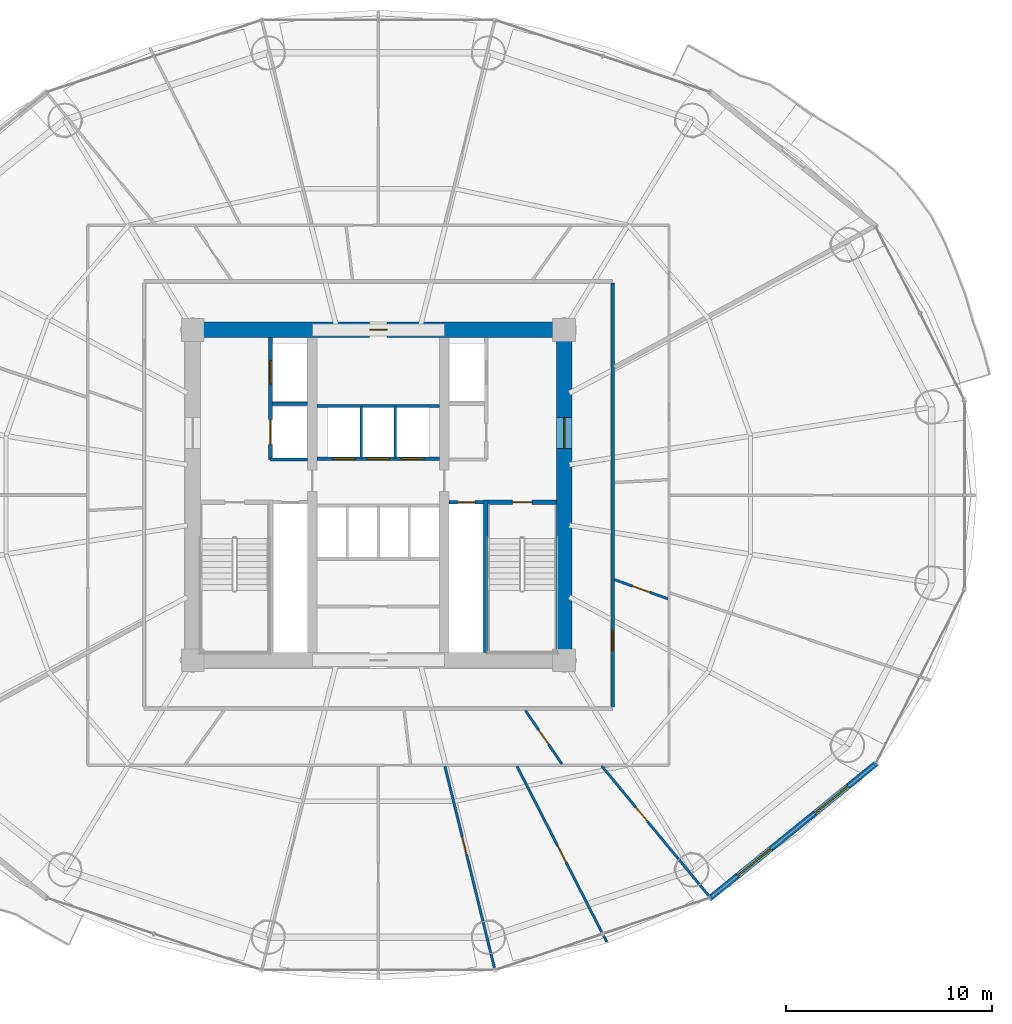
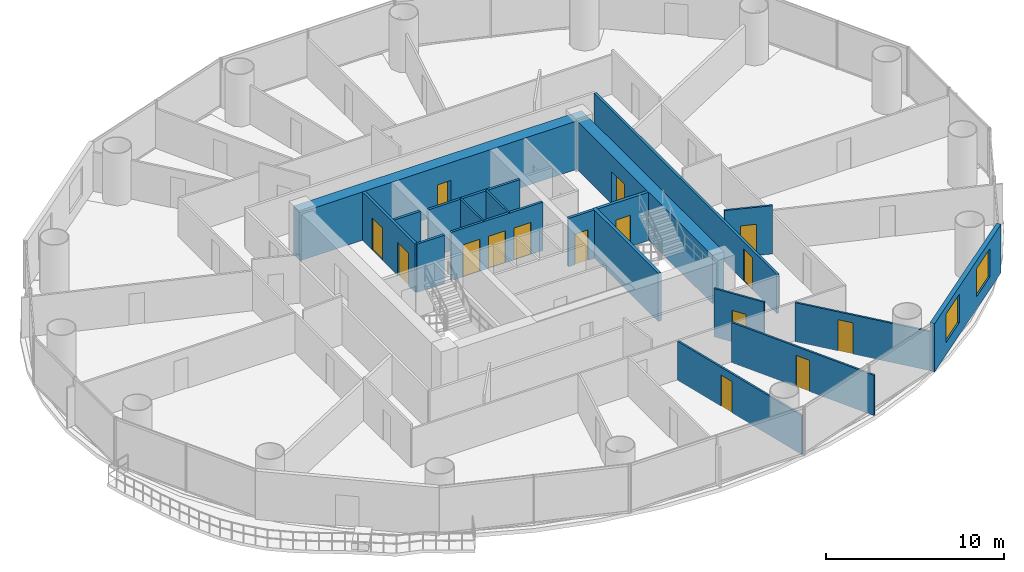
# One storey, part 24 of 30: 19 walls, 15 doors, 2 windows, 17 openings.
"""IFC4 building model written with IfcOpenShell, lengths in metres."""

from ifc_helpers import new_model, si_unit, direction, frame, frame_2d, origin, place, context, subcontext, project, spatial, rectangle, extrude, source, transform, mapped, material, layer, layer_set, type_object, element, fill, save


model = new_model("IFC4")

# Units and contexts
model_context = context("Model", 3, precision=1e-05, world=origin(), true_north=direction((-0.2419218956, 0.970295726276)))
body_context = subcontext(model_context, "Body", "Model", "MODEL_VIEW")
ifc_project = project(units=[si_unit("LENGTHUNIT", "METRE"), si_unit("AREAUNIT", "SQUARE_METRE"), si_unit("VOLUMEUNIT", "CUBIC_METRE"), si_unit("PLANEANGLEUNIT", "RADIAN"), si_unit("MASSUNIT", "GRAM", prefix="KILO")], contexts=[model_context])

# Site, building, storey
site_placement = place(None, origin())
site = spatial("IfcSite", under=ifc_project, at=site_placement, CompositionType="ELEMENT")
building_placement = place(site_placement, origin())
building = spatial("IfcBuilding", under=site, at=building_placement, Name="Cobrevalo Terracotta Tower", CompositionType="ELEMENT")
storey_placement = place(building_placement, frame((0.0, 0.0, 56.39990234375)))
storey = spatial("IfcBuildingStorey", under=building, at=storey_placement, Name="L14", CompositionType="ELEMENT", Elevation=56.39990234375)

# Wall, opening, door
ifc_material_1 = material(Name="Concrete C60", Category="concrete")
ifc_layer_1 = layer(ifc_material_1, 0.75)
ifc_layer_set_1 = layer_set([ifc_layer_1], Name="Concrete C60")
wall_type_1 = type_object("IfcWallType", Name="Core shear wall 750 mm Concrete C60", PredefinedType="SHEAR", material=ifc_layer_set_1)
wall_1_placement = place(storey_placement, frame((28.625, 34.800048828125, 0.0), z_axis=(0.0, 0.0, 1.0), x_axis=(1.0, 0.0, 0.0)))
wall_1 = element("IfcWall", 1, at=wall_1_placement, inside=storey, type_object=wall_type_1, Name="L14 north core shear wall", PredefinedType="SHEAR", context=body_context, shape_type="SweptSolid", body=[
    extrude(rectangle(XDim=18.75, YDim=0.75, at=frame_2d((9.375, 0.0))), origin(), (0.0, 0.0, 1.0), 3.320068359375),
])
opening_1_placement = place(wall_1_placement, frame((8.949951171875, 0.0, 0.0)))
opening_1 = element("IfcOpeningElement", 2, at=opening_1_placement, cuts=wall_1, Name="Opening ID-22", PredefinedType="OPENING", context=body_context, shape_type="SweptSolid", body=[
    extrude(rectangle(XDim=0.85009765625, YDim=2.10009765625, at=frame_2d((0.425048828125, 1.050048828125))), frame((0.0, 0.385009765625, 0.0), z_axis=(0.0, -1.0, 0.0), x_axis=(1.0, 0.0, 0.0)), (0.0, 0.0, 1.0), 0.77001953125),
])
ifc_material_2 = material(Name="Powder-coated steel", Category="steel")
door_type_1 = type_object("IfcDoorType", Name="Riser shaft & meter closet fire access door 850x2100 EI 60", OperationType="NOTDEFINED", PredefinedType="DOOR", material=ifc_material_2)
shared_shape_1 = source(origin(), body_context, "Body", "SweptSolid", [
    extrude(rectangle(XDim=0.85009765625, YDim=2.10009765625, at=frame_2d((0.425048828125, 1.050048828125))), frame((0.0, 0.02490234375, 0.0), z_axis=(0.0, -1.0, 0.0), x_axis=(1.0, 0.0, 0.0)), (0.0, 0.0, 1.0), 0.050048828125),
])
door_1_placement = place(opening_1_placement, frame((0.85009765625, 0.0, 0.0), z_axis=(0.0, 0.0, 1.0), x_axis=(-1.0, 0.0, 0.0)))
door_1 = element("IfcDoor", 3, at=door_1_placement, inside=storey, type_object=door_type_1, Name="L14 core north service door Floor Electrical Switchroom", OperationType="SINGLE_SWING_LEFT", OverallHeight=2.10009765625, OverallWidth=0.85009765625, PredefinedType="DOOR", context=body_context, shape_type="MappedRepresentation", body=[
    mapped(shared_shape_1, transform((0.0, 0.0, 0.0), scale=1.0)),
])
fill(opening_1, door_1)

wall_2_placement = place(storey_placement, frame((47.0, 19.175048828125, 0.0), z_axis=(0.0, 0.0, 1.0), x_axis=(0.0, 1.0, 0.0)))
wall_2 = element("IfcWall", 4, at=wall_2_placement, inside=storey, type_object=wall_type_1, Name="L14 east core shear wall", PredefinedType="SHEAR", context=body_context, shape_type="SweptSolid", body=[
    extrude(rectangle(XDim=15.25, YDim=0.75, at=frame_2d((7.625, 0.0))), origin(), (0.0, 0.0, 1.0), 3.320068359375),
])
opening_2_placement = place(wall_2_placement, frame((9.875, 0.0, 0.0)))
opening_2 = element("IfcOpeningElement", 5, at=opening_2_placement, cuts=wall_2, Name="Opening ID-14", PredefinedType="OPENING", context=body_context, shape_type="SweptSolid", body=[
    extrude(rectangle(XDim=1.5, YDim=2.199951171875, at=frame_2d((0.75, 1.10009765625))), frame((0.0, 0.385009765625, 0.0), z_axis=(0.0, -1.0, 0.0), x_axis=(1.0, 0.0, 0.0)), (0.0, 0.0, 1.0), 0.77001953125),
])
ifc_material_3 = material(Name="Galvanized fire-rated steel", Category="steel")
door_type_2 = type_object("IfcDoorType", Name="Core cross-lobby double fire door 1500x2200 EI 90", OperationType="NOTDEFINED", PredefinedType="DOOR", material=ifc_material_3)
shared_shape_2 = source(origin(), body_context, "Body", "SweptSolid", [
    extrude(rectangle(XDim=1.5, YDim=2.199951171875, at=frame_2d((0.75, 1.10009765625))), frame((0.0, 0.02490234375, 0.0), z_axis=(0.0, -1.0, 0.0), x_axis=(1.0, 0.0, 0.0)), (0.0, 0.0, 1.0), 0.050048828125),
])
door_2_placement = place(opening_2_placement, frame((1.5, 0.0, 0.0), z_axis=(0.0, 0.0, 1.0), x_axis=(-1.0, 0.0, 0.0)))
door_2 = element("IfcDoor", 6, at=door_2_placement, inside=storey, type_object=door_type_2, Name="L14 east firefighting lobby entrance door", OperationType="DOUBLE_DOOR_SINGLE_SWING", OverallHeight=2.199951171875, OverallWidth=1.5, PredefinedType="DOOR", context=body_context, shape_type="MappedRepresentation", body=[
    mapped(shared_shape_2, transform((0.0, 0.0, 0.0), scale=1.0)),
])
fill(opening_2, door_2)

# Walls
ifc_material_4 = material(Name="Gypsum board on steel stud", Category="steel")
ifc_layer_2 = layer(ifc_material_4, 0.159912109375)
ifc_layer_set_2 = layer_set([ifc_layer_2], Name="Gypsum board on steel stud")
wall_type_2 = type_object("IfcWallType", Name="Fire-rated corridor acoustic partition wall 160 mm", PredefinedType="PARTITIONING", material=ifc_layer_set_2)
wall_3_placement = place(storey_placement, frame((32.860107421875, 31.219970703125, 0.0), z_axis=(0.0, 0.0, 1.0), x_axis=(1.0, 0.0, 0.0)))
element("IfcWall", 7, at=wall_3_placement, inside=storey, type_object=wall_type_2, Name="L14 interior partition IW-L14-FF1-M", PredefinedType="PARTITIONING", context=body_context, shape_type="SweptSolid", body=[
    extrude(rectangle(XDim=1.71484375, YDim=0.159912109375, at=frame_2d((0.857421875, 0.0))), origin(), (0.0, 0.0, 1.0), 3.320068359375),
])
wall_4_placement = place(storey_placement, frame((32.77001953125, 28.52001953125, 0.0), z_axis=(0.0, 0.0, 1.0), x_axis=(1.0, 0.0, 0.0)))
element("IfcWall", 8, at=wall_4_placement, inside=storey, type_object=wall_type_2, Name="L14 interior partition IW-L14-FF1-S", PredefinedType="PARTITIONING", context=body_context, shape_type="SweptSolid", body=[
    extrude(rectangle(XDim=1.804931640625, YDim=0.159912109375, at=frame_2d((0.90234375, 0.0))), origin(), (0.0, 0.0, 1.0), 3.320068359375),
])

# Wall, openings, doors
wall_5_placement = place(storey_placement, frame((35.02490234375, 28.56005859375, 0.0), z_axis=(0.0, 0.0, 1.0), x_axis=(1.0, 0.0, 0.0)))
wall_5 = element("IfcWall", 9, at=wall_5_placement, inside=storey, type_object=wall_type_2, Name="L14 interior partition IW-L14-LB-S", PredefinedType="PARTITIONING", context=body_context, shape_type="SweptSolid", body=[
    extrude(rectangle(XDim=5.9501953125, YDim=0.159912109375, at=frame_2d((2.97509765625, 0.0))), origin(), (0.0, 0.0, 1.0), 3.320068359375),
])
opening_3_placement = place(wall_5_placement, frame((0.760009765625, 0.0, 0.0)))
opening_3 = element("IfcOpeningElement", 10, at=opening_3_placement, cuts=wall_5, Name="Opening LD-01", PredefinedType="OPENING", context=body_context, shape_type="SweptSolid", body=[
    extrude(rectangle(XDim=1.10009765625, YDim=2.199951171875, at=frame_2d((0.550048828125, 1.10009765625))), frame((0.0, 0.08984375, 0.0), z_axis=(0.0, -1.0, 0.0), x_axis=(1.0, 0.0, 0.0)), (0.0, 0.0, 1.0), 0.179931640625),
])
opening_4_placement = place(wall_5_placement, frame((2.425048828125, 0.0, 0.0)))
opening_4 = element("IfcOpeningElement", 11, at=opening_4_placement, cuts=wall_5, Name="Opening LD-01", PredefinedType="OPENING", context=body_context, shape_type="SweptSolid", body=[
    extrude(rectangle(XDim=1.10009765625, YDim=2.199951171875, at=frame_2d((0.550048828125, 1.10009765625))), frame((0.0, 0.08984375, 0.0), z_axis=(0.0, -1.0, 0.0), x_axis=(1.0, 0.0, 0.0)), (0.0, 0.0, 1.0), 0.179931640625),
])
opening_5_placement = place(wall_5_placement, frame((4.090087890625, 0.0, 0.0)))
opening_5 = element("IfcOpeningElement", 12, at=opening_5_placement, cuts=wall_5, Name="Opening LD-01", PredefinedType="OPENING", context=body_context, shape_type="SweptSolid", body=[
    extrude(rectangle(XDim=1.10009765625, YDim=2.199951171875, at=frame_2d((0.550048828125, 1.10009765625))), frame((0.0, 0.08984375, 0.0), z_axis=(0.0, -1.0, 0.0), x_axis=(1.0, 0.0, 0.0)), (0.0, 0.0, 1.0), 0.179931640625),
])
ifc_material_5 = material(Name="Brushed stainless steel", Category="steel")
door_type_3 = type_object("IfcDoorType", Name="Passenger lift landing bi-parting sliding door 1100x2200 EI 90", OperationType="DOUBLE_DOOR_SLIDING", PredefinedType="DOOR", material=ifc_material_5)
shared_shape_3 = source(origin(), body_context, "Body", "SweptSolid", [
    extrude(rectangle(XDim=1.10009765625, YDim=2.199951171875, at=frame_2d((0.550048828125, 1.10009765625))), frame((0.0, 0.02490234375, 0.0), z_axis=(0.0, -1.0, 0.0), x_axis=(1.0, 0.0, 0.0)), (0.0, 0.0, 1.0), 0.050048828125),
])
door_3_placement = place(opening_3_placement, origin())
door_3 = element("IfcDoor", 13, at=door_3_placement, inside=storey, type_object=door_type_3, Name="L14 lift landing door PL-L1", OperationType="DOUBLE_DOOR_SLIDING", OverallHeight=2.199951171875, OverallWidth=1.10009765625, PredefinedType="DOOR", context=body_context, shape_type="MappedRepresentation", body=[
    mapped(shared_shape_3, transform((0.0, 0.0, 0.0), scale=1.0)),
])
fill(opening_3, door_3)
door_4_placement = place(opening_4_placement, origin())
door_4 = element("IfcDoor", 14, at=door_4_placement, inside=storey, type_object=door_type_3, Name="L14 lift landing door PL-L2", OperationType="DOUBLE_DOOR_SLIDING", OverallHeight=2.199951171875, OverallWidth=1.10009765625, PredefinedType="DOOR", context=body_context, shape_type="MappedRepresentation", body=[
    mapped(shared_shape_3, transform((0.0, 0.0, 0.0), scale=1.0)),
])
fill(opening_4, door_4)
door_5_placement = place(opening_5_placement, origin())
door_5 = element("IfcDoor", 15, at=door_5_placement, inside=storey, type_object=door_type_3, Name="L14 lift landing door PL-L3", OperationType="DOUBLE_DOOR_SLIDING", OverallHeight=2.199951171875, OverallWidth=1.10009765625, PredefinedType="DOOR", context=body_context, shape_type="MappedRepresentation", body=[
    mapped(shared_shape_3, transform((0.0, 0.0, 0.0), scale=1.0)),
])
fill(opening_5, door_5)

# Wall
wall_6_placement = place(storey_placement, frame((35.02490234375, 31.1201171875, 0.0), z_axis=(0.0, 0.0, 1.0), x_axis=(1.0, 0.0, 0.0)))
element("IfcWall", 16, at=wall_6_placement, inside=storey, type_object=wall_type_2, Name="L14 interior partition IW-L14-LB-N", PredefinedType="PARTITIONING", context=body_context, shape_type="SweptSolid", body=[
    extrude(rectangle(XDim=5.9501953125, YDim=0.159912109375, at=frame_2d((2.97509765625, 0.0))), origin(), (0.0, 0.0, 1.0), 3.320068359375),
])

# Wall, opening, door
wall_7_placement = place(storey_placement, frame((49.35498046875, 16.52490234375, 0.0), z_axis=(0.0, 0.0, 1.0), x_axis=(0.0, 1.0, 0.0)))
wall_7 = element("IfcWall", 17, at=wall_7_placement, inside=storey, type_object=wall_type_2, Name="L14 interior partition IW-L14-COR-E", PredefinedType="PARTITIONING", context=body_context, shape_type="SweptSolid", body=[
    extrude(rectangle(XDim=20.550048828125, YDim=0.159912109375, at=frame_2d((10.27490234375, 0.0))), origin(), (0.0, 0.0, 1.0), 2.68798828125),
])
opening_6_placement = place(wall_7_placement, frame((2.733154296875, 0.0, 0.0)))
opening_6 = element("IfcOpeningElement", 18, at=opening_6_placement, cuts=wall_7, Name="Opening ID-05", PredefinedType="OPENING", context=body_context, shape_type="SweptSolid", body=[
    extrude(rectangle(XDim=0.97998046875, YDim=2.199951171875, at=frame_2d((0.489990234375, 1.10009765625))), frame((0.0, 0.08984375, 0.0), z_axis=(0.0, -1.0, 0.0), x_axis=(1.0, 0.0, 0.0)), (0.0, 0.0, 1.0), 0.179931640625),
])
ifc_material_6 = material(Name="Solid hardwood timber", Category="wood")
door_type_4 = type_object("IfcDoorType", Name="Residence entrance fire-rated acoustic timber door 980x2200 EI 60", OperationType="NOTDEFINED", PredefinedType="DOOR", material=ifc_material_6)
shared_shape_4 = source(origin(), body_context, "Body", "SweptSolid", [
    extrude(rectangle(XDim=0.97998046875, YDim=2.199951171875, at=frame_2d((0.489990234375, 1.10009765625))), frame((0.0, 0.02490234375, 0.0), z_axis=(0.0, -1.0, 0.0), x_axis=(1.0, 0.0, 0.0)), (0.0, 0.0, 1.0), 0.050048828125),
])
door_6_placement = place(opening_6_placement, frame((0.97998046875, 0.0, 0.0), z_axis=(0.0, 0.0, 1.0), x_axis=(-1.0, 0.0, 0.0)))
door_6 = element("IfcDoor", 19, at=door_6_placement, inside=storey, type_object=door_type_4, Name="Flat L14B fire-rated apartment entrance door", OperationType="SINGLE_SWING_LEFT", OverallHeight=2.199951171875, OverallWidth=0.97998046875, PredefinedType="DOOR", context=body_context, shape_type="MappedRepresentation", body=[
    mapped(shared_shape_4, transform((0.0, 0.0, 0.0), scale=1.0)),
])
fill(opening_6, door_6)

ifc_layer_3 = layer(ifc_material_4, 0.179931640625)
ifc_layer_set_3 = layer_set([ifc_layer_3], Name="Gypsum board on steel stud")
wall_type_3 = type_object("IfcWallType", Name="Fire-rated shaft & lobby acoustic partition wall 180 mm", PredefinedType="PARTITIONING", material=ifc_layer_set_3)
wall_8_placement = place(storey_placement, frame((41.425048828125, 26.449951171875, 0.0), z_axis=(0.0, 0.0, 1.0), x_axis=(1.0, 0.0, 0.0)))
wall_8 = element("IfcWall", 20, at=wall_8_placement, inside=storey, type_object=wall_type_3, Name="L14 interior partition IW-L14-RSE-N", PredefinedType="PARTITIONING", context=body_context, shape_type="SweptSolid", body=[
    extrude(rectangle(XDim=1.675048828125, YDim=0.179931640625, at=frame_2d((0.83740234375, 0.0))), origin(), (0.0, 0.0, 1.0), 3.320068359375),
])
opening_7_placement = place(wall_8_placement, frame((0.41259765625, 0.0, 0.0)))
opening_7 = element("IfcOpeningElement", 21, at=opening_7_placement, cuts=wall_8, Name="Opening ID-22", PredefinedType="OPENING", context=body_context, shape_type="SweptSolid", body=[
    extrude(rectangle(XDim=0.85009765625, YDim=2.10009765625, at=frame_2d((0.425048828125, 1.050048828125))), frame((0.0, 0.10009765625, 0.0), z_axis=(0.0, -1.0, 0.0), x_axis=(1.0, 0.0, 0.0)), (0.0, 0.0, 1.0), 0.199951171875),
])
door_7_placement = place(opening_7_placement, origin())
door_7 = element("IfcDoor", 22, at=door_7_placement, inside=storey, type_object=door_type_1, Name="L14 riser access door RSE", OperationType="SINGLE_SWING_RIGHT", OverallHeight=2.10009765625, OverallWidth=0.85009765625, PredefinedType="DOOR", context=body_context, shape_type="MappedRepresentation", body=[
    mapped(shared_shape_1, transform((0.0, 0.0, 0.0), scale=1.0)),
])
fill(opening_7, door_7)

# Wall, openings, doors
wall_9_placement = place(storey_placement, frame((32.77001953125, 28.52001953125, 0.0), z_axis=(0.0, 0.0, 1.0), x_axis=(0.0, 1.0, 0.0)))
wall_9 = element("IfcWall", 23, at=wall_9_placement, inside=storey, type_object=wall_type_3, Name="L14 interior partition IW-L14-FF1-W", PredefinedType="PARTITIONING", context=body_context, shape_type="SweptSolid", body=[
    extrude(rectangle(XDim=5.905029296875, YDim=0.179931640625, at=frame_2d((2.95263671875, 0.0))), origin(), (0.0, 0.0, 1.0), 3.320068359375),
])
opening_8_placement = place(wall_9_placement, frame((3.655029296875, 0.0, 0.0)))
opening_8 = element("IfcOpeningElement", 24, at=opening_8_placement, cuts=wall_9, Name="Opening LD-02", PredefinedType="OPENING", context=body_context, shape_type="SweptSolid", body=[
    extrude(rectangle(XDim=1.14990234375, YDim=2.199951171875, at=frame_2d((0.574951171875, 1.10009765625))), frame((0.0, 0.10009765625, 0.0), z_axis=(0.0, -1.0, 0.0), x_axis=(1.0, 0.0, 0.0)), (0.0, 0.0, 1.0), 0.199951171875),
])
opening_9_placement = place(wall_9_placement, frame((0.72998046875, 0.0, 0.0)))
opening_9 = element("IfcOpeningElement", 25, at=opening_9_placement, cuts=wall_9, Name="Opening LD-03", PredefinedType="OPENING", context=body_context, shape_type="SweptSolid", body=[
    extrude(rectangle(XDim=1.199951171875, YDim=2.25, at=frame_2d((0.60009765625, 1.125))), frame((0.0, 0.10009765625, 0.0), z_axis=(0.0, -1.0, 0.0), x_axis=(1.0, 0.0, 0.0)), (0.0, 0.0, 1.0), 0.199951171875),
])
door_type_5 = type_object("IfcDoorType", Name="Firefighting lift landing bi-parting sliding door 1150x2200 EI 120", OperationType="DOUBLE_DOOR_SLIDING", PredefinedType="DOOR", material=ifc_material_5)
shared_shape_5 = source(origin(), body_context, "Body", "SweptSolid", [
    extrude(rectangle(XDim=1.14990234375, YDim=2.199951171875, at=frame_2d((0.574951171875, 1.10009765625))), frame((0.0, 0.02490234375, 0.0), z_axis=(0.0, -1.0, 0.0), x_axis=(1.0, 0.0, 0.0)), (0.0, 0.0, 1.0), 0.050048828125),
])
door_8_placement = place(opening_8_placement, origin())
door_8 = element("IfcDoor", 26, at=door_8_placement, inside=storey, type_object=door_type_5, Name="L14 lift landing door FF-1", OperationType="DOUBLE_DOOR_SLIDING", OverallHeight=2.199951171875, OverallWidth=1.14990234375, PredefinedType="DOOR", context=body_context, shape_type="MappedRepresentation", body=[
    mapped(shared_shape_5, transform((0.0, 0.0, 0.0), scale=1.0)),
])
fill(opening_8, door_8)
door_type_6 = type_object("IfcDoorType", Name="Service lift landing bi-parting sliding door 1200x2250 EI 120", OperationType="DOUBLE_DOOR_SLIDING", PredefinedType="DOOR", material=ifc_material_5)
shared_shape_6 = source(origin(), body_context, "Body", "SweptSolid", [
    extrude(rectangle(XDim=1.199951171875, YDim=2.25, at=frame_2d((0.60009765625, 1.125))), frame((0.0, 0.02490234375, 0.0), z_axis=(0.0, -1.0, 0.0), x_axis=(1.0, 0.0, 0.0)), (0.0, 0.0, 1.0), 0.050048828125),
])
door_9_placement = place(opening_9_placement, origin())
door_9 = element("IfcDoor", 27, at=door_9_placement, inside=storey, type_object=door_type_6, Name="L14 lift landing door SV-1", OperationType="DOUBLE_DOOR_SLIDING", OverallHeight=2.25, OverallWidth=1.199951171875, PredefinedType="DOOR", context=body_context, shape_type="MappedRepresentation", body=[
    mapped(shared_shape_6, transform((0.0, 0.0, 0.0), scale=1.0)),
])
fill(opening_9, door_9)

# Walls
ifc_material_7 = material(Name="Autoclaved aerated concrete block", Category="concrete")
ifc_layer_4 = layer(ifc_material_7, 0.1201171875)
ifc_layer_set_4 = layer_set([ifc_layer_4], Name="Autoclaved aerated concrete block")
wall_type_4 = type_object("IfcWallType", Name="Fire-rated wet-room & core service partition 120 mm", PredefinedType="PARTITIONING", material=ifc_layer_set_4)
for number, where, z_axis, x_axis, name in (
    (28, (37.169921875, 28.56005859375, 0.0), (0.0, 0.0, 1.0), (0.0, 1.0, 0.0), "L14 interior partition IW-L14-LB-D1"),
    (29, (38.830078125, 28.56005859375, 0.0), (0.0, 0.0, 1.0), (0.0, 1.0, 0.0), "L14 interior partition IW-L14-LB-D2"),
):
    element("IfcWall", number, at=place(storey_placement, frame(where, z_axis=z_axis, x_axis=x_axis)), inside=storey, type_object=wall_type_4, Name=name, PredefinedType="PARTITIONING", context=body_context, shape_type="SweptSolid", body=[
        extrude(rectangle(XDim=2.56005859375, YDim=0.1201171875, at=frame_2d((1.280029296875, 0.0))), origin(), (0.0, 0.0, 1.0), 3.320068359375),
    ])

# Wall, openings, windows
ifc_layer_5 = layer(ifc_material_7, 0.280029296875)
ifc_layer_set_5 = layer_set([ifc_layer_5], Name="Autoclaved aerated concrete block")
wall_type_5 = type_object("IfcWallType", Name="Insulated tower spandrel & pier wall 280 mm with terracotta rainscreen", PredefinedType="SOLIDWALL", material=ifc_layer_set_5)
wall_10_placement = place(storey_placement, frame((54.03271484375, 7.235107421875, 0.0), z_axis=(0.0, 0.0, 1.0), x_axis=(0.777016782851, 0.629479879875, 0.0)))
wall_10 = element("IfcWall", 30, at=wall_10_placement, inside=storey, type_object=wall_type_5, Name="L14 terracotta rainscreen pier wall S14", PredefinedType="SOLIDWALL", context=body_context, shape_type="SweptSolid", body=[
    extrude(rectangle(XDim=10.446533203125, YDim=0.280029296875, at=frame_2d((5.22314453125, 0.0))), origin(), (0.0, 0.0, 1.0), 3.320068359375),
])
opening_10_placement = place(wall_10_placement, frame((1.7705078125, 0.0, 0.85009765625)))
opening_10 = element("IfcOpeningElement", 31, at=opening_10_placement, cuts=wall_10, Name="Opening WN-10", PredefinedType="OPENING", context=body_context, shape_type="SweptSolid", body=[
    extrude(rectangle(XDim=2.10009765625, YDim=1.949951171875, at=frame_2d((1.050048828125, 0.97509765625))), frame((0.0, 0.14990234375, 0.0), z_axis=(0.0, -1.0, 0.0), x_axis=(1.0, 0.0, 0.0)), (0.0, 0.0, 1.0), 0.300048828125),
])
opening_11_placement = place(wall_10_placement, frame((6.576171875, 0.0, 0.85009765625)))
opening_11 = element("IfcOpeningElement", 32, at=opening_11_placement, cuts=wall_10, Name="Opening WN-10", PredefinedType="OPENING", context=body_context, shape_type="SweptSolid", body=[
    extrude(rectangle(XDim=2.10009765625, YDim=1.949951171875, at=frame_2d((1.050048828125, 0.97509765625))), frame((0.0, 0.14990234375, 0.0), z_axis=(0.0, -1.0, 0.0), x_axis=(1.0, 0.0, 0.0)), (0.0, 0.0, 1.0), 0.300048828125),
])
ifc_material_8 = material(Name="Solar-control low-E double glazing", Category="glass")
window_type = type_object("IfcWindowType", Name="Wide panoramic low-E aluminium window 2100x1950", PartitioningType="SINGLE_PANEL", PredefinedType="WINDOW", material=ifc_material_8)
shared_shape_7 = source(origin(), body_context, "Body", "SweptSolid", [
    extrude(rectangle(XDim=2.10009765625, YDim=1.949951171875, at=frame_2d((1.050048828125, 0.97509765625))), frame((0.0, 0.030029296875, 0.0), z_axis=(0.0, -1.0, 0.0), x_axis=(1.0, 0.0, 0.0)), (0.0, 0.0, 1.0), 0.06005859375),
])
window_1_placement = place(opening_10_placement, origin())
window_1 = element("IfcWindow", 33, at=window_1_placement, inside=storey, type_object=window_type, Name="L14 suite window S14A", OverallHeight=1.949951171875, OverallWidth=2.10009765625, PartitioningType="SINGLE_PANEL", PredefinedType="WINDOW", context=body_context, shape_type="MappedRepresentation", body=[
    mapped(shared_shape_7, transform((0.0, 0.0, 0.0), scale=1.0)),
])
fill(opening_10, window_1)
window_2_placement = place(opening_11_placement, origin())
window_2 = element("IfcWindow", 34, at=window_2_placement, inside=storey, type_object=window_type, Name="L14 suite window S14B", OverallHeight=1.949951171875, OverallWidth=2.10009765625, PartitioningType="SINGLE_PANEL", PredefinedType="WINDOW", context=body_context, shape_type="MappedRepresentation", body=[
    mapped(shared_shape_7, transform((0.0, 0.0, 0.0), scale=1.0)),
])
fill(opening_11, window_2)

# Wall, opening, door
ifc_layer_6 = layer(ifc_material_4, 0.1201171875)
ifc_layer_set_6 = layer_set([ifc_layer_6], Name="Gypsum board on steel stud")
wall_type_6 = type_object("IfcWallType", Name="Residential internal acoustic stud partition 120 mm", PredefinedType="PARTITIONING", material=ifc_layer_set_6)
wall_11_placement = place(storey_placement, frame((41.226806640625, 13.65478515625, 0.0), z_axis=(0.0, 0.0, 1.0), x_axis=(0.238375747469, -0.97117300365, 0.0)))
wall_11 = element("IfcWall", 35, at=wall_11_placement, inside=storey, type_object=wall_type_6, Name="L14 interior partition IW-L14-U2-ORAD2", PredefinedType="PARTITIONING", context=body_context, shape_type="SweptSolid", body=[
    extrude(rectangle(XDim=10.086181640625, YDim=0.1201171875, at=frame_2d((5.04296875, 0.0))), origin(), (0.0, 0.0, 1.0), 2.68798828125),
])
opening_12_placement = place(wall_11_placement, frame((3.5185546875, 0.0, 0.0)))
opening_12 = element("IfcOpeningElement", 36, at=opening_12_placement, cuts=wall_11, Name="Opening ID-12", PredefinedType="OPENING", context=body_context, shape_type="SweptSolid", body=[
    extrude(rectangle(XDim=0.89990234375, YDim=2.14990234375, at=frame_2d((0.449951171875, 1.074951171875))), frame((0.0, 0.070068359375, 0.0), z_axis=(0.0, -1.0, 0.0), x_axis=(1.0, 0.0, 0.0)), (0.0, 0.0, 1.0), 0.14013671875),
])
ifc_material_9 = material(Name="Engineered timber", Category="wood")
door_type_7 = type_object("IfcDoorType", Name="Internal residence & suite timber door 900x2150", OperationType="NOTDEFINED", PredefinedType="DOOR", material=ifc_material_9)
shared_shape_8 = source(origin(), body_context, "Body", "SweptSolid", [
    extrude(rectangle(XDim=0.89990234375, YDim=2.14990234375, at=frame_2d((0.449951171875, 1.074951171875))), frame((0.0, 0.02490234375, 0.0), z_axis=(0.0, -1.0, 0.0), x_axis=(1.0, 0.0, 0.0)), (0.0, 0.0, 1.0), 0.050048828125),
])
door_10_placement = place(opening_12_placement, frame((0.89990234375, 0.0, 0.0), z_axis=(0.0, 0.0, 1.0), x_axis=(-1.0, 0.0, 0.0)))
door_10 = element("IfcDoor", 37, at=door_10_placement, inside=storey, type_object=door_type_7, Name="Flat L14B Principal Guest Bedroom internal door", OperationType="SINGLE_SWING_RIGHT", OverallHeight=2.14990234375, OverallWidth=0.89990234375, PredefinedType="DOOR", context=body_context, shape_type="MappedRepresentation", body=[
    mapped(shared_shape_8, transform((0.0, 0.0, 0.0), scale=1.0)),
])
fill(opening_12, door_10)

wall_12_placement = place(storey_placement, frame((44.716796875, 13.65966796875, 0.0), z_axis=(0.0, 0.0, 1.0), x_axis=(0.455131303234, -0.890424335256, 0.0)))
wall_12 = element("IfcWall", 38, at=wall_12_placement, inside=storey, type_object=wall_type_6, Name="L14 interior partition IW-L14-U2-ORAD3M1", PredefinedType="PARTITIONING", context=body_context, shape_type="SweptSolid", body=[
    extrude(rectangle(XDim=9.562255859375, YDim=0.1201171875, at=frame_2d((4.78125, 0.0))), origin(), (0.0, 0.0, 1.0), 2.76220703125),
])
opening_13_placement = place(wall_12_placement, frame((4.3310546875, 0.0, 0.0)))
opening_13 = element("IfcOpeningElement", 39, at=opening_13_placement, cuts=wall_12, Name="Opening ID-12", PredefinedType="OPENING", context=body_context, shape_type="SweptSolid", body=[
    extrude(rectangle(XDim=0.89990234375, YDim=2.14990234375, at=frame_2d((0.449951171875, 1.074951171875))), frame((0.0, 0.070068359375, 0.0), z_axis=(0.0, -1.0, 0.0), x_axis=(1.0, 0.0, 0.0)), (0.0, 0.0, 1.0), 0.14013671875),
])
door_11_placement = place(opening_13_placement, frame((0.89990234375, 0.0, 0.0), z_axis=(0.0, 0.0, 1.0), x_axis=(-1.0, 0.0, 0.0)))
door_11 = element("IfcDoor", 40, at=door_11_placement, inside=storey, type_object=door_type_7, Name="Flat L14B Principal Guest Bedroom internal door", OperationType="SINGLE_SWING_LEFT", OverallHeight=2.14990234375, OverallWidth=0.89990234375, PredefinedType="DOOR", context=body_context, shape_type="MappedRepresentation", body=[
    mapped(shared_shape_8, transform((0.0, 0.0, 0.0), scale=1.0)),
])
fill(opening_13, door_11)

wall_13_placement = place(storey_placement, frame((48.828857421875, 13.667236328125, 0.0), z_axis=(0.0, 0.0, 1.0), x_axis=(0.636177533893, -0.771542704826, 0.0)))
wall_13 = element("IfcWall", 41, at=wall_13_placement, inside=storey, type_object=wall_type_6, Name="L14 interior partition IW-L14-U2-ORAD3", PredefinedType="PARTITIONING", context=body_context, shape_type="SweptSolid", body=[
    extrude(rectangle(XDim=8.1865234375, YDim=0.1201171875, at=frame_2d((4.09326171875, 0.0))), origin(), (0.0, 0.0, 1.0), 2.68798828125),
])
opening_14_placement = place(wall_13_placement, frame((2.584228515625, 0.0, 0.0)))
opening_14 = element("IfcOpeningElement", 42, at=opening_14_placement, cuts=wall_13, Name="Opening ID-12", PredefinedType="OPENING", context=body_context, shape_type="SweptSolid", body=[
    extrude(rectangle(XDim=0.89990234375, YDim=2.14990234375, at=frame_2d((0.449951171875, 1.074951171875))), frame((0.0, 0.070068359375, 0.0), z_axis=(0.0, -1.0, 0.0), x_axis=(1.0, 0.0, 0.0)), (0.0, 0.0, 1.0), 0.14013671875),
])
door_12_placement = place(opening_14_placement, frame((0.89990234375, 0.0, 0.0), z_axis=(0.0, 0.0, 1.0), x_axis=(-1.0, 0.0, 0.0)))
door_12 = element("IfcDoor", 43, at=door_12_placement, inside=storey, type_object=door_type_7, Name="Flat L14B Principal Guest Bedroom internal door", OperationType="SINGLE_SWING_RIGHT", OverallHeight=2.14990234375, OverallWidth=0.89990234375, PredefinedType="DOOR", context=body_context, shape_type="MappedRepresentation", body=[
    mapped(shared_shape_8, transform((0.0, 0.0, 0.0), scale=1.0)),
])
fill(opening_14, door_12)

wall_14_placement = place(storey_placement, frame((45.123291015625, 16.364990234375, 0.0), z_axis=(0.0, 0.0, 1.0), x_axis=(0.563762888243, -0.825936683917, 0.0)))
wall_14 = element("IfcWall", 44, at=wall_14_placement, inside=storey, type_object=wall_type_6, Name="L14 interior partition IW-L14-U2-IRAD3", PredefinedType="PARTITIONING", context=body_context, shape_type="SweptSolid", body=[
    extrude(rectangle(XDim=3.146484375, YDim=0.1201171875, at=frame_2d((1.5732421875, 0.0))), origin(), (0.0, 0.0, 1.0), 3.320068359375),
])
opening_15_placement = place(wall_14_placement, frame((1.143310546875, 0.0, 0.0)))
opening_15 = element("IfcOpeningElement", 45, at=opening_15_placement, cuts=wall_14, Name="Opening ID-19", PredefinedType="OPENING", context=body_context, shape_type="SweptSolid", body=[
    extrude(rectangle(XDim=0.860107421875, YDim=2.14990234375, at=frame_2d((0.43017578125, 1.074951171875))), frame((0.0, 0.070068359375, 0.0), z_axis=(0.0, -1.0, 0.0), x_axis=(1.0, 0.0, 0.0)), (0.0, 0.0, 1.0), 0.14013671875),
])
ifc_material_10 = material(Name="Moisture-sealed timber", Category="wood")
door_type_8 = type_object("IfcDoorType", Name="Suite bathroom internal timber door 860x2150", OperationType="NOTDEFINED", PredefinedType="DOOR", material=ifc_material_10)
shared_shape_9 = source(origin(), body_context, "Body", "SweptSolid", [
    extrude(rectangle(XDim=0.860107421875, YDim=2.14990234375, at=frame_2d((0.43017578125, 1.074951171875))), frame((0.0, 0.02490234375, 0.0), z_axis=(0.0, -1.0, 0.0), x_axis=(1.0, 0.0, 0.0)), (0.0, 0.0, 1.0), 0.050048828125),
])
door_13_placement = place(opening_15_placement, frame((0.860107421875, 0.0, 0.0), z_axis=(0.0, 0.0, 1.0), x_axis=(-1.0, 0.0, 0.0)))
door_13 = element("IfcDoor", 46, at=door_13_placement, inside=storey, type_object=door_type_8, Name="Flat L14B Primary Bathroom internal door", OperationType="SINGLE_SWING_RIGHT", OverallHeight=2.14990234375, OverallWidth=0.860107421875, PredefinedType="DOOR", context=body_context, shape_type="MappedRepresentation", body=[
    mapped(shared_shape_9, transform((0.0, 0.0, 0.0), scale=1.0)),
])
fill(opening_15, door_13)

wall_15_placement = place(storey_placement, frame((49.43505859375, 22.703369140625, 0.0), z_axis=(0.0, 0.0, 1.0), x_axis=(0.941406362049, -0.337274460186, 0.0)))
wall_15 = element("IfcWall", 47, at=wall_15_placement, inside=storey, type_object=wall_type_6, Name="L14 interior partition IW-L14-U2-IRAD4", PredefinedType="PARTITIONING", context=body_context, shape_type="SweptSolid", body=[
    extrude(rectangle(XDim=2.7529296875, YDim=0.1201171875, at=frame_2d((1.37646484375, 0.0))), origin(), (0.0, 0.0, 1.0), 3.320068359375),
])
opening_16_placement = place(wall_15_placement, frame((0.926513671875, 0.0, 0.0)))
opening_16 = element("IfcOpeningElement", 48, at=opening_16_placement, cuts=wall_15, Name="Opening ID-12", PredefinedType="OPENING", context=body_context, shape_type="SweptSolid", body=[
    extrude(rectangle(XDim=0.89990234375, YDim=2.14990234375, at=frame_2d((0.449951171875, 1.074951171875))), frame((0.0, 0.070068359375, 0.0), z_axis=(0.0, -1.0, 0.0), x_axis=(1.0, 0.0, 0.0)), (0.0, 0.0, 1.0), 0.14013671875),
])
door_14_placement = place(opening_16_placement, origin())
door_14 = element("IfcDoor", 49, at=door_14_placement, inside=storey, type_object=door_type_7, Name="Flat L14B Kitchen internal door", OperationType="SINGLE_SWING_LEFT", OverallHeight=2.14990234375, OverallWidth=0.89990234375, PredefinedType="DOOR", context=body_context, shape_type="MappedRepresentation", body=[
    mapped(shared_shape_8, transform((0.0, 0.0, 0.0), scale=1.0)),
])
fill(opening_16, door_14)

# Wall
ifc_material_11 = material(Name="Concrete C50", Category="concrete")
ifc_layer_7 = layer(ifc_material_11, 0.199951171875)
ifc_layer_set_7 = layer_set([ifc_layer_7], Name="Concrete C50")
wall_type_7 = type_object("IfcWallType", Name="Structural core & podium stair-shaft RC wall 200 mm Concrete C50", PredefinedType="SOLIDWALL", material=ifc_layer_set_7)
wall_16_placement = place(storey_placement, frame((43.205078125, 19.175048828125, 0.0), z_axis=(0.0, 0.0, 1.0), x_axis=(0.0, 1.0, 0.0)))
element("IfcWall", 50, at=wall_16_placement, inside=storey, type_object=wall_type_7, Name="L14 ST-2 west structural shaft wall", PredefinedType="SOLIDWALL", context=body_context, shape_type="SweptSolid", body=[
    extrude(rectangle(XDim=7.375, YDim=0.199951171875, at=frame_2d((3.6875, 0.0))), origin(), (0.0, 0.0, 1.0), 3.320068359375),
])

# Wall, opening, door
wall_17_placement = place(storey_placement, frame((43.304931640625, 26.449951171875, 0.0), z_axis=(0.0, 0.0, 1.0), x_axis=(1.0, 0.0, 0.0)))
wall_17 = element("IfcWall", 51, at=wall_17_placement, inside=storey, type_object=wall_type_7, Name="L14 ST-2 north structural shaft wall", PredefinedType="SOLIDWALL", context=body_context, shape_type="SweptSolid", body=[
    extrude(rectangle(XDim=3.320068359375, YDim=0.199951171875, at=frame_2d((1.66015625, 0.0))), origin(), (0.0, 0.0, 1.0), 3.320068359375),
])
opening_17_placement = place(wall_17_placement, frame((1.18505859375, 0.0, 0.0)))
opening_17 = element("IfcOpeningElement", 52, at=opening_17_placement, cuts=wall_17, Name="Opening ID-04", PredefinedType="OPENING", context=body_context, shape_type="SweptSolid", body=[
    extrude(rectangle(XDim=0.949951171875, YDim=2.14990234375, at=frame_2d((0.47509765625, 1.074951171875))), frame((0.0, 0.10986328125, 0.0), z_axis=(0.0, -1.0, 0.0), x_axis=(1.0, 0.0, 0.0)), (0.0, 0.0, 1.0), 0.219970703125),
])
door_type_9 = type_object("IfcDoorType", Name="Stair & firefighting lobby fire door 950x2150 EI 90", OperationType="NOTDEFINED", PredefinedType="DOOR", material=ifc_material_3)
shared_shape_10 = source(origin(), body_context, "Body", "SweptSolid", [
    extrude(rectangle(XDim=0.949951171875, YDim=2.14990234375, at=frame_2d((0.47509765625, 1.074951171875))), frame((0.0, 0.02490234375, 0.0), z_axis=(0.0, -1.0, 0.0), x_axis=(1.0, 0.0, 0.0)), (0.0, 0.0, 1.0), 0.050048828125),
])
door_15_placement = place(opening_17_placement, frame((0.949951171875, 0.0, 0.0), z_axis=(0.0, 0.0, 1.0), x_axis=(-1.0, 0.0, 0.0)))
door_15 = element("IfcDoor", 53, at=door_15_placement, inside=storey, type_object=door_type_9, Name="L14 protected stair ST2 fire door", OperationType="SINGLE_SWING_RIGHT", OverallHeight=2.14990234375, OverallWidth=0.949951171875, PredefinedType="DOOR", context=body_context, shape_type="MappedRepresentation", body=[
    mapped(shared_shape_10, transform((0.0, 0.0, 0.0), scale=1.0)),
])
fill(opening_17, door_15)

save(model, "model.ifc")
